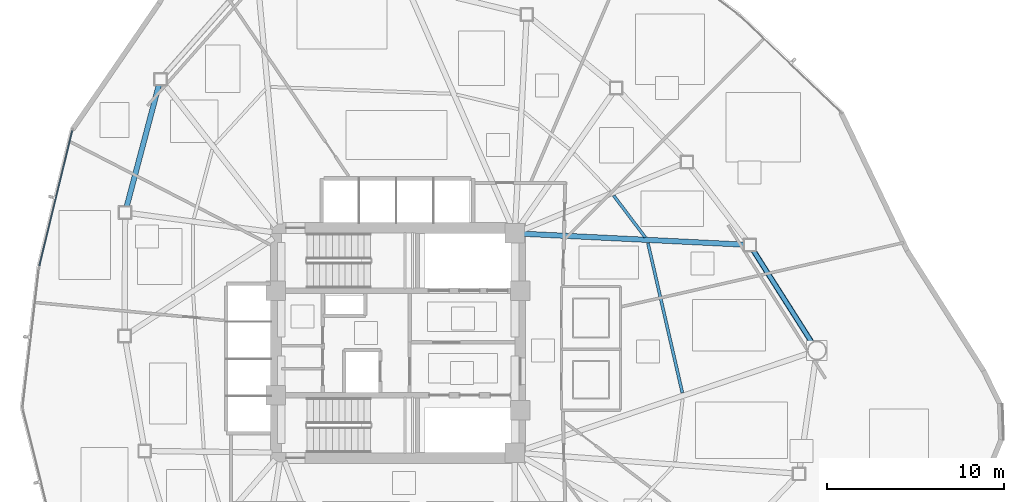
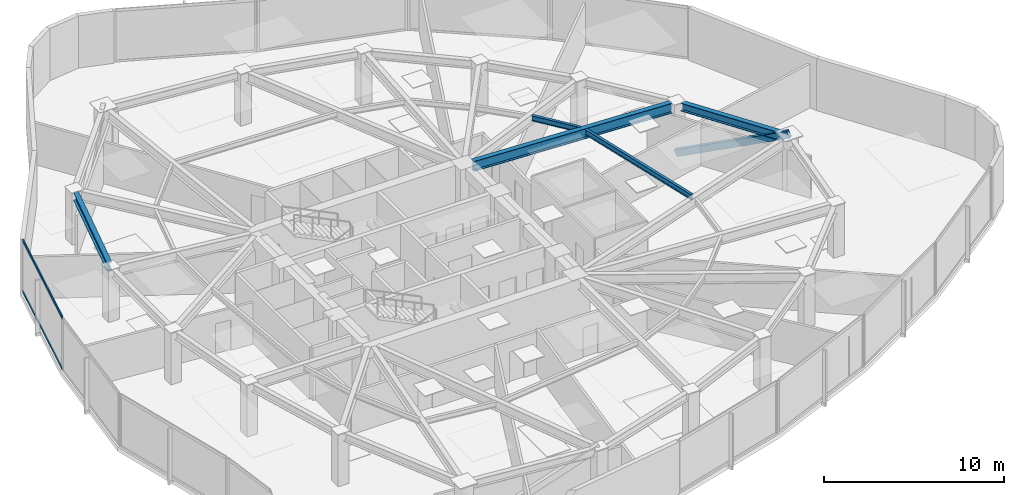
# One storey, part 6 of 17: 5 beams, 3 members, 1 element without a shape of its own.
"""IFC4 building model written with IfcOpenShell, lengths in metres."""

from ifc_helpers import new_model, si_unit, direction, frame, origin, origin_2d, place, context, subcontext, project, spatial, hollow_rectangle, i_section, extrude, source, transform, mapped, material, layer, layer_set, material_profile, profile_set, type_object, type_shapes, element, aggregate, save


model = new_model("IFC4")

# Units and contexts
model_context = context("Model", 3, precision=1e-05, world=origin(), true_north=direction((0.0, 1.0)))
body_context = subcontext(model_context, "Body", "Model", "MODEL_VIEW")
ifc_project = project(units=[si_unit("LENGTHUNIT", "METRE"), si_unit("AREAUNIT", "SQUARE_METRE"), si_unit("VOLUMEUNIT", "CUBIC_METRE"), si_unit("PLANEANGLEUNIT", "RADIAN"), si_unit("MASSUNIT", "GRAM", prefix="KILO")], contexts=[model_context])

# Site, building, storey
site_placement = place(None, origin())
site = spatial("IfcSite", under=ifc_project, at=site_placement, CompositionType="ELEMENT")
building_placement = place(site_placement, origin())
building = spatial("IfcBuilding", under=site, at=building_placement, Name="Tavelor Broadcast Tower", CompositionType="ELEMENT")
storey_placement = place(building_placement, frame((0.0, 0.0, 115.60009765625)))
storey = spatial("IfcBuildingStorey", under=building, at=storey_placement, Name="L26", CompositionType="ELEMENT", Elevation=115.60009765625)

# Beams
ifc_material_1 = material(Name="Steel S355", Category="steel")
ifc_material_profile_1 = material_profile(ifc_material_1, i_section(OverallWidth=0.169921875, OverallDepth=0.360107421875, WebThickness=0.008056640625, FlangeThickness=0.0126953125, at=origin_2d()), Name="IPE 360")
ifc_profile_set_1 = profile_set([ifc_material_profile_1], Name="Steel S355")
beam_type_1 = type_object("IfcBeamType", Name="Composite Floor Joist T3 IPE 360", PredefinedType="JOIST", material=ifc_profile_set_1)
beam_1_placement = place(storey_placement, frame((66.0703125, 42.1953125, 3.369873046875), z_axis=(-0.224119909946, 0.974561576282, 0.0), x_axis=(-0.974561576282, -0.224119909946, 0.0)))
element("IfcBeam", 1, at=beam_1_placement, inside=storey, type_object=beam_type_1, Name="L26 Secondary Composite Floor Joist 13", PredefinedType="JOIST", context=body_context, shape_type="SweptSolid", body=[
    extrude(i_section(OverallWidth=0.169921875, OverallDepth=0.360107421875, WebThickness=0.008056640625, FlangeThickness=0.0126953125, at=origin_2d()), origin(), (0.0, 0.0, 1.0), 8.6796875),
])
beam_2_placement = place(storey_placement, frame((63.97509765625, 50.974853515625, 3.369873046875), z_axis=(-0.603343158319, 0.797481682116, 0.0), x_axis=(-0.797481682116, -0.603343158319, 0.0)))
element("IfcBeam", 2, at=beam_2_placement, inside=storey, type_object=beam_type_1, Name="L26 Secondary Composite Floor Joist 14", PredefinedType="JOIST", context=body_context, shape_type="SweptSolid", body=[
    extrude(i_section(OverallWidth=0.169921875, OverallDepth=0.360107421875, WebThickness=0.008056640625, FlangeThickness=0.0126953125, at=origin_2d()), origin(), (0.0, 0.0, 1.0), 2.951416015625),
])
ifc_material_profile_2 = material_profile(ifc_material_1, i_section(OverallWidth=0.300048828125, OverallDepth=0.550048828125, WebThickness=0.014892578125, FlangeThickness=0.029052734375, at=origin_2d()), Name="HEB 550")
ifc_profile_set_2 = profile_set([ifc_material_profile_2], Name="Steel S355")
beam_type_2 = type_object("IfcBeamType", Name="Perimeter Spandrel Beam T3 HEB 550", PredefinedType="SPANDREL", material=ifc_profile_set_2)
beam_3_placement = place(storey_placement, frame((36.481689453125, 59.5859375, 3.27490234375), z_axis=(-0.255779440044, -0.966735164381, 0.0), x_axis=(0.966735164381, -0.255779440044, 0.0)))
element("IfcBeam", 3, at=beam_3_placement, inside=storey, type_object=beam_type_2, Name="L26 Framed-Tube Ring Spandrel 02", PredefinedType="SPANDREL", context=body_context, shape_type="SweptSolid", body=[
    extrude(i_section(OverallWidth=0.300048828125, OverallDepth=0.550048828125, WebThickness=0.014892578125, FlangeThickness=0.029052734375, at=origin_2d()), origin(), (0.0, 0.0, 1.0), 7.11865234375),
])
beam_4_placement = place(storey_placement, frame((73.4013671875, 45.01171875, 3.27490234375), z_axis=(-0.536283466807, 0.844037939449, 0.0), x_axis=(-0.844037939449, -0.536283466807, 0.0)))
element("IfcBeam", 4, at=beam_4_placement, inside=storey, type_object=beam_type_2, Name="L26 Framed-Tube Ring Spandrel 13", PredefinedType="SPANDREL", context=body_context, shape_type="SweptSolid", body=[
    extrude(i_section(OverallWidth=0.300048828125, OverallDepth=0.550048828125, WebThickness=0.014892578125, FlangeThickness=0.029052734375, at=origin_2d()), origin(), (0.0, 0.0, 1.0), 6.21875),
])

# Member
ifc_material_profile_3 = material_profile(ifc_material_1, hollow_rectangle(XDim=0.25, YDim=0.449951171875, WallThickness=0.02001953125, at=origin_2d()), Name="RHS 450x250x20")
ifc_profile_set_3 = profile_set([ifc_material_profile_3], Name="Steel S355")
member_type_1 = type_object("IfcMemberType", Name="Perimeter Tube Brace T3 RHS 450x250x20", PredefinedType="BRACE", material=ifc_profile_set_3)
member_1_placement = place(storey_placement, frame((69.885986328125, 50.544189453125, 0.0), z_axis=(0.479245396229, -0.754215683798, 0.448868079179), x_axis=(0.844021198089, 0.536309814544, 0.0)))
element("IfcMember", 5, at=member_1_placement, inside=storey, type_object=member_type_1, Name="L26 Corner Tube Diagonal Brace 3", PredefinedType="BRACE", context=body_context, shape_type="SweptSolid", body=[
    extrude(hollow_rectangle(XDim=0.25, YDim=0.449951171875, WallThickness=0.02001953125, at=origin_2d()), origin(), (0.0, 0.0, 1.0), 7.908447265625),
])

# Beam
ifc_material_profile_4 = material_profile(ifc_material_1, i_section(OverallWidth=0.300048828125, OverallDepth=0.68994140625, WebThickness=0.014404296875, FlangeThickness=0.027099609375, at=origin_2d()), Name="HEA 700")
ifc_profile_set_4 = profile_set([ifc_material_profile_4], Name="Steel S355")
beam_type_3 = type_object("IfcBeamType", Name="Radial Floor Girder T3 HEA 700", PredefinedType="BEAM", material=ifc_profile_set_4)
beam_5_placement = place(storey_placement, frame((57.12744140625, 51.174072265625, 3.204833984375), z_axis=(0.998783710906, -0.04930617435, 0.0), x_axis=(0.04930617435, 0.998783710906, 0.0)))
element("IfcBeam", 6, at=beam_5_placement, inside=storey, type_object=beam_type_3, Name="L26 Radial Primary Floor Girder 14", PredefinedType="BEAM", context=body_context, shape_type="SweptSolid", body=[
    extrude(i_section(OverallWidth=0.300048828125, OverallDepth=0.68994140625, WebThickness=0.014404296875, FlangeThickness=0.027099609375, at=origin_2d()), origin(), (0.0, 0.0, 1.0), 12.438232421875),
])

# Curtain wall, members
ifc_material_2 = material(Name="Architectural Anodized Aluminium", Category="aluminium")
ifc_layer = layer(ifc_material_2, 0.18994140625)
ifc_layer_set = layer_set([ifc_layer], Name="Architectural Anodized Aluminium")
curtain_wall_type = type_object("IfcCurtainWallType", Name="Tower Mid-Zone Acoustic Curtain Wall CW03", PredefinedType="NOTDEFINED", material=ifc_layer_set)
curtain_wall_placement = place(storey_placement, origin())
curtain_wall = element("IfcCurtainWall", 7, at=curtain_wall_placement, inside=storey, type_object=curtain_wall_type, Name="L26 Curtain Wall CW03 Run 253", PredefinedType="NOTDEFINED")
ifc_material_profile_5 = material_profile(ifc_material_2, hollow_rectangle(XDim=0.068115234375, YDim=0.18994140625, WallThickness=0.02197265625, at=origin_2d()), Name="RHS 68x190x22")
ifc_profile_set_5 = profile_set([ifc_material_profile_5], Name="Architectural Anodized Aluminium")
member_type_2 = type_object("IfcMemberType", Name="CW03 Extruded Aluminium Transom 68x190", PredefinedType="USERDEFINED", material=ifc_profile_set_5)
shared_shape = source(origin(), body_context, "Body", "SweptSolid", [
    extrude(hollow_rectangle(XDim=0.068115234375, YDim=0.18994140625, WallThickness=0.02197265625, at=origin_2d()), origin(), (0.0, 0.0, 1.0), 7.852783203125),
])
type_shapes(member_type_2, [shared_shape])
member_2_placement = place(storey_placement, frame((31.58740234375, 57.009033203125, 0.033935546875), z_axis=(-0.236407905145, -0.971653900514, 0.0), x_axis=(0.971653900514, -0.236407905145, 0.0)))
member_2 = element("IfcMember", 8, at=member_2_placement, type_object=member_type_2, Name="CW03 transom 1.1", ObjectType="TRANSOM", PredefinedType="USERDEFINED", context=body_context, shape_type="MappedRepresentation", body=[
    mapped(shared_shape, transform((0.0, 0.0, 0.0), scale=1.0)),
])
member_3_placement = place(storey_placement, frame((31.58740234375, 57.009033203125, 3.515869140625), z_axis=(-0.236407905145, -0.971653900514, 0.0), x_axis=(0.971653900514, -0.236407905145, 0.0)))
member_3 = element("IfcMember", 9, at=member_3_placement, type_object=member_type_2, Name="CW03 transom 1.2", ObjectType="TRANSOM", PredefinedType="USERDEFINED", context=body_context, shape_type="MappedRepresentation", body=[
    mapped(shared_shape, transform((0.0, 0.0, 0.0), scale=1.0)),
])
aggregate(curtain_wall, [member_2, member_3])

save(model, "model.ifc")
